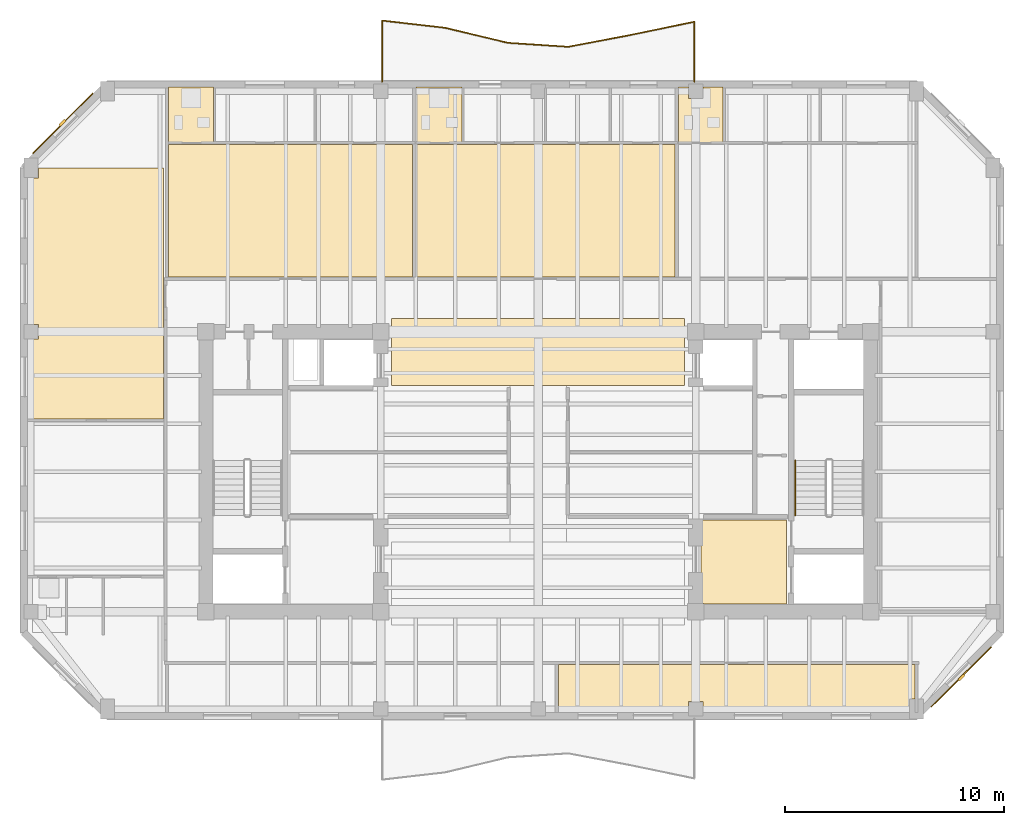
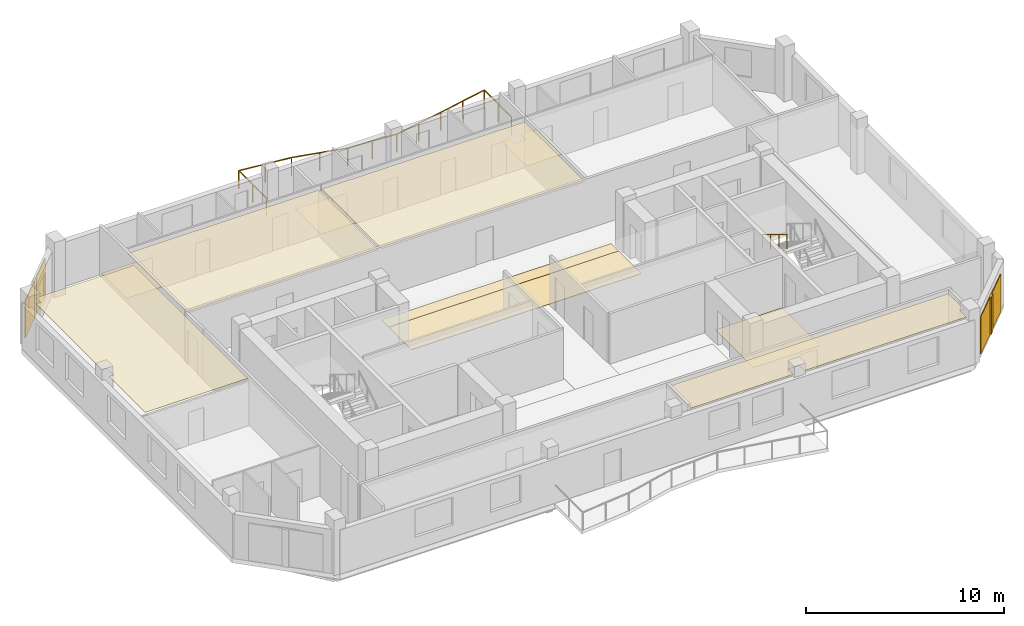
# One storey, part 8 of 10: 12 coverings, 2 railings, 2 shading devices.
"""IFC4 building model written with IfcOpenShell, lengths in metres."""

from ifc_helpers import new_model, si_unit, direction, frame, origin, origin_2d, place, context, subcontext, project, spatial, polyline, rectangle, circle, outline, extrude, material, layer, layer_set, type_object, element, save


model = new_model("IFC4")

# Units and contexts
model_context = context("Model", 3, precision=1e-05, world=origin(), true_north=direction((0.0, 1.0)))
body_context = subcontext(model_context, "Body", "Model", "MODEL_VIEW")
ifc_project = project(units=[si_unit("LENGTHUNIT", "METRE"), si_unit("AREAUNIT", "SQUARE_METRE"), si_unit("VOLUMEUNIT", "CUBIC_METRE"), si_unit("PLANEANGLEUNIT", "RADIAN"), si_unit("MASSUNIT", "GRAM", prefix="KILO")], contexts=[model_context])

# Site, building, storey
site_placement = place(None, origin())
site = spatial("IfcSite", under=ifc_project, at=site_placement, CompositionType="ELEMENT")
building_placement = place(site_placement, origin())
building = spatial("IfcBuilding", under=site, at=building_placement, Name="Kranthara Brick Stack", CompositionType="ELEMENT")
storey_placement = place(building_placement, frame((0.0, 0.0, 275.5)))
storey = spatial("IfcBuildingStorey", under=building, at=storey_placement, Name="L73", CompositionType="ELEMENT", Elevation=275.5)

# Coverings
ifc_material_1 = material(Name="Perforated mineral-fibre acoustic ceiling tile", Category="other")
ifc_layer_1 = layer(ifc_material_1, 0.02490234375)
ifc_layer_set_1 = layer_set([ifc_layer_1], Name="Perforated mineral-fibre acoustic ceiling tile")
covering_type_1 = type_object("IfcCoveringType", Name="COV-CEIL-ACOUSTIC", PredefinedType="CEILING", material=ifc_layer_set_1)
covering_1_placement = place(storey_placement, frame((0.0, 0.0, 2.830078125)))
element("IfcCovering", 1, at=covering_1_placement, inside=storey, type_object=covering_type_1, Name="L73 L73 Sky Club Observation Lounge 2 Acoustic Ceiling", PredefinedType="CEILING", context=body_context, shape_type="SweptSolid", body=[
    extrude(outline(polyline([(28.926025390625, 18.3798828125), (45.219970703125, 18.3798828125), (45.219970703125, 16.81005859375), (44.965087890625, 16.81005859375), (44.965087890625, 16.14990234375), (35.534912109375, 16.14990234375), (35.534912109375, 16.68505859375), (34.864990234375, 16.68505859375), (34.864990234375, 16.14990234375), (28.926025390625, 16.14990234375), (28.926025390625, 18.3798828125)])), origin(), (0.0, 0.0, 1.0), 0.02490234375),
])
covering_2_placement = place(storey_placement, frame((0.0, 0.0, 2.830078125)))
element("IfcCovering", 2, at=covering_2_placement, inside=storey, type_object=covering_type_1, Name="L73 Unit L73A 1-Bed Apartment Living Dining Acoustic Ceiling", PredefinedType="CEILING", context=body_context, shape_type="SweptSolid", body=[
    extrude(outline(polyline([(22.251953125, 36.10009765625), (22.251953125, 42.169921875), (11.10009765625, 42.169921875), (11.10009765625, 36.10009765625), (22.251953125, 36.10009765625)])), origin(), (0.0, 0.0, 1.0), 0.02490234375),
])
covering_3_placement = place(storey_placement, frame((0.0, 0.0, 2.830078125)))
element("IfcCovering", 3, at=covering_3_placement, inside=storey, type_object=covering_type_1, Name="L73 Unit L73B 2-Bed Apartment Living Dining Acoustic Ceiling", PredefinedType="CEILING", context=body_context, shape_type="SweptSolid", body=[
    extrude(outline(polyline([(34.25, 36.10009765625), (34.25, 42.169921875), (22.412109375, 42.169921875), (22.412109375, 36.10009765625), (34.25, 36.10009765625)])), origin(), (0.0, 0.0, 1.0), 0.02490234375),
])
covering_4_placement = place(storey_placement, frame((0.0, 0.0, 2.830078125)))
element("IfcCovering", 4, at=covering_4_placement, inside=storey, type_object=covering_type_1, Name="L73 Unit L73D 1-Bed Apartment Living Dining Acoustic Ceiling", PredefinedType="CEILING", context=body_context, shape_type="SweptSolid", body=[
    extrude(outline(polyline([(10.860107421875, 41.10009765625), (10.860107421875, 29.60595703125), (4.8701171875, 29.60595703125), (4.8701171875, 33.264892578125), (5.135009765625, 33.264892578125), (5.135009765625, 33.93505859375), (4.8701171875, 33.93505859375), (4.8701171875, 40.639892578125), (5.135009765625, 40.639892578125), (5.135009765625, 41.10009765625), (10.860107421875, 41.10009765625)])), origin(), (0.0, 0.0, 1.0), 0.02490234375),
])
ifc_material_2 = material(Name="Warm buff kiln-fired brick slip rainscreen", Category="masonry")
ifc_layer_2 = layer(ifc_material_2, 0.044921875)
ifc_layer_set_2 = layer_set([ifc_layer_2], Name="Warm buff kiln-fired brick slip rainscreen")
covering_type_2 = type_object("IfcCoveringType", Name="COV-CLAD-BRICK", PredefinedType="CLADDING", material=ifc_layer_set_2)
for number, where, z_axis, x_axis, name in (
    (5, (6.2626953125, 43.13720703125, 0.0498046875), (0.0, 0.0, 1.0), (0.707106781187, 0.707106781187, 0.0), "L73 Chamfer Brick Rainscreen Cladding NW"),
    (6, (47.33740234375, 17.812744140625, 0.0498046875), (0.0, 0.0, 1.0), (-0.707106781187, -0.707106781187, 0.0), "L73 Chamfer Brick Rainscreen Cladding SE"),
):
    element("IfcCovering", number, at=place(storey_placement, frame(where, z_axis=z_axis, x_axis=x_axis)), inside=storey, type_object=covering_type_2, Name=name, PredefinedType="CLADDING", context=body_context, shape_type="SweptSolid", body=[
        extrude(rectangle(XDim=3.889892578125, YDim=0.044921875, at=origin_2d()), origin(), (0.0, 0.0, 1.0), 2.300048828125),
    ])
ifc_material_3 = material(Name="Honed terrazzo and porcelain floor finish", Category="stone")
ifc_layer_3 = layer(ifc_material_3, 0.030029296875)
ifc_layer_set_3 = layer_set([ifc_layer_3], Name="Honed terrazzo and porcelain floor finish")
covering_type_3 = type_object("IfcCoveringType", Name="COV-FLOR-STONE", PredefinedType="FLOORING", material=ifc_layer_set_3)
covering_5_placement = place(storey_placement, origin())
element("IfcCovering", 7, at=covering_5_placement, inside=storey, type_object=covering_type_3, Name="L73 Lift Lobby Stone Flooring", PredefinedType="FLOORING", context=body_context, shape_type="SweptSolid", body=[
    extrude(outline(polyline([(35.449951171875, 25.0), (39.35009765625, 25.0), (39.35009765625, 21.14990234375), (35.5849609375, 21.14990234375), (35.5849609375, 21.18505859375), (35.449951171875, 21.18505859375), (35.449951171875, 25.0)])), origin(), (0.0, 0.0, 1.0), 0.030029296875),
])
covering_6_placement = place(storey_placement, origin())
element("IfcCovering", 8, at=covering_6_placement, inside=storey, type_object=covering_type_3, Name="L73 Lift Lobby Stone Flooring", PredefinedType="FLOORING", context=body_context, shape_type="SweptSolid", body=[
    extrude(outline(polyline([(34.699951171875, 31.14990234375), (34.699951171875, 33.449951171875), (21.300048828125, 33.449951171875), (21.300048828125, 31.14990234375), (34.699951171875, 31.14990234375)])), origin(), (0.0, 0.0, 1.0), 0.030029296875),
])
covering_7_placement = place(storey_placement, origin())
element("IfcCovering", 9, at=covering_7_placement, inside=storey, type_object=covering_type_3, Name="L73 Lift Lobby Stone Flooring", PredefinedType="FLOORING", context=body_context, shape_type="SweptSolid", body=[
    extrude(outline(polyline([(34.699951171875, 33.449951171875), (21.300048828125, 33.449951171875), (21.300048828125, 34.199951171875), (34.699951171875, 34.199951171875), (34.699951171875, 33.449951171875)])), origin(), (0.0, 0.0, 1.0), 0.030029296875),
])
covering_8_placement = place(storey_placement, origin())
element("IfcCovering", 10, at=covering_8_placement, inside=storey, type_object=covering_type_3, Name="L73 Wet Room Porcelain Flooring", PredefinedType="FLOORING", context=body_context, shape_type="SweptSolid", body=[
    extrude(outline(polyline([(13.14990234375, 42.25), (13.14990234375, 44.800048828125), (11.10009765625, 44.800048828125), (11.10009765625, 42.25), (13.14990234375, 42.25)])), origin(), (0.0, 0.0, 1.0), 0.030029296875),
])
covering_9_placement = place(storey_placement, origin())
element("IfcCovering", 11, at=covering_9_placement, inside=storey, type_object=covering_type_3, Name="L73 Wet Room Porcelain Flooring", PredefinedType="FLOORING", context=body_context, shape_type="SweptSolid", body=[
    extrude(outline(polyline([(24.511962890625, 42.25), (24.511962890625, 44.800048828125), (22.412109375, 44.800048828125), (22.412109375, 42.25), (24.511962890625, 42.25)])), origin(), (0.0, 0.0, 1.0), 0.030029296875),
])
covering_10_placement = place(storey_placement, origin())
element("IfcCovering", 12, at=covering_10_placement, inside=storey, type_object=covering_type_3, Name="L73 Wet Room Porcelain Flooring", PredefinedType="FLOORING", context=body_context, shape_type="SweptSolid", body=[
    extrude(outline(polyline([(36.4599609375, 44.800048828125), (36.4599609375, 42.25), (34.409912109375, 42.25), (34.409912109375, 44.800048828125), (34.864990234375, 44.800048828125), (34.864990234375, 44.264892578125), (35.534912109375, 44.264892578125), (35.534912109375, 44.800048828125), (36.4599609375, 44.800048828125)])), origin(), (0.0, 0.0, 1.0), 0.030029296875),
])

# Railings
ifc_material_4 = material(Name="Bronze anodised aluminium and laminated glass balustrade", Category="aluminium")
railing_type_1 = type_object("IfcRailingType", Name="RL-BALC-1120", PredefinedType="BALUSTRADE", material=ifc_material_4)
railing_1_placement = place(storey_placement, frame((20.860107421875, 45.0400390625, 0.0)))
element("IfcRailing", 13, at=railing_1_placement, inside=storey, type_object=railing_type_1, Name="L73 North Rippling Balcony Balustrade", PredefinedType="BALUSTRADE", context=body_context, shape_type="SweptSolid", body=[
    extrude(circle(Radius=0.02392578125, at=origin_2d()), frame((0.0, 0.0, 1.09619140625), z_axis=(-0.00026182579, 0.999999965724, 0.0), x_axis=(-0.999999965724, -0.00026182579, 0.0)), (0.0, 0.0, 1.0), 2.79736328125),
    extrude(circle(Radius=0.02392578125, at=origin_2d()), frame((-0.000732421875, 2.79736328125, 1.09619140625), z_axis=(0.993437308354, -0.114377945294, 0.0), x_axis=(0.114377945294, 0.993437308354, 0.0)), (0.0, 0.0, 1.0), 2.898681640625),
    extrude(circle(Radius=0.02392578125, at=origin_2d()), frame((2.87890625, 2.4658203125, 1.09619140625), z_axis=(0.972574027945, -0.232593551429, 0.0), x_axis=(0.232593551429, 0.972574027945, 0.0)), (0.0, 0.0, 1.0), 2.962158203125),
    extrude(circle(Radius=0.02392578125, at=origin_2d()), frame((5.759765625, 1.77685546875, 1.09619140625), z_axis=(0.997899251958, -0.064784897482, 0.0), x_axis=(0.064784897482, 0.997899251958, 0.0)), (0.0, 0.0, 1.0), 2.76611328125),
    extrude(circle(Radius=0.02392578125, at=origin_2d()), frame((8.52001953125, 1.59765625, 1.09619140625), z_axis=(0.982446283598, 0.186545704438, 0.0), x_axis=(-0.186545704438, 0.982446283598, 0.0)), (0.0, 0.0, 1.0), 2.931640625),
    extrude(circle(Radius=0.02392578125, at=origin_2d()), frame((11.400146484375, 2.14453125, 1.09619140625), z_axis=(0.979078344296, 0.203483649789, 0.0), x_axis=(-0.203483649789, 0.979078344296, 0.0)), (0.0, 0.0, 1.0), 2.94189453125),
    extrude(circle(Radius=0.02392578125, at=origin_2d()), frame((14.280517578125, 2.7431640625, 1.09619140625), z_axis=(-0.000266998922, -0.999999964356, 0.0), x_axis=(0.999999964356, -0.000266998922, 0.0)), (0.0, 0.0, 1.0), 2.7431640625),
    extrude(circle(Radius=0.02099609375, at=origin_2d()), origin(), (0.0, 0.0, 1.0), 1.072021484375),
    extrude(circle(Radius=0.02099609375, at=origin_2d()), frame((-0.00048828125, 1.398681640625, 0.0)), (0.0, 0.0, 1.0), 1.072021484375),
    extrude(circle(Radius=0.02099609375, at=origin_2d()), frame((-0.000732421875, 2.79736328125, 0.0)), (0.0, 0.0, 1.0), 1.072021484375),
    extrude(circle(Radius=0.02099609375, at=origin_2d()), frame((1.43896484375, 2.631591796875, 0.0)), (0.0, 0.0, 1.0), 1.072021484375),
    extrude(circle(Radius=0.02099609375, at=origin_2d()), frame((2.87890625, 2.4658203125, 0.0)), (0.0, 0.0, 1.0), 1.072021484375),
    extrude(circle(Radius=0.02099609375, at=origin_2d()), frame((4.3193359375, 2.121337890625, 0.0)), (0.0, 0.0, 1.0), 1.072021484375),
    extrude(circle(Radius=0.02099609375, at=origin_2d()), frame((5.759765625, 1.77685546875, 0.0)), (0.0, 0.0, 1.0), 1.072021484375),
    extrude(circle(Radius=0.02099609375, at=origin_2d()), frame((7.139892578125, 1.687255859375, 0.0)), (0.0, 0.0, 1.0), 1.072021484375),
    extrude(circle(Radius=0.02099609375, at=origin_2d()), frame((8.52001953125, 1.59765625, 0.0)), (0.0, 0.0, 1.0), 1.072021484375),
    extrude(circle(Radius=0.02099609375, at=origin_2d()), frame((9.9599609375, 1.87109375, 0.0)), (0.0, 0.0, 1.0), 1.072021484375),
    extrude(circle(Radius=0.02099609375, at=origin_2d()), frame((11.400146484375, 2.14453125, 0.0)), (0.0, 0.0, 1.0), 1.072021484375),
    extrude(circle(Radius=0.02099609375, at=origin_2d()), frame((12.84033203125, 2.44384765625, 0.0)), (0.0, 0.0, 1.0), 1.072021484375),
    extrude(circle(Radius=0.02099609375, at=origin_2d()), frame((14.280517578125, 2.7431640625, 0.0)), (0.0, 0.0, 1.0), 1.072021484375),
    extrude(circle(Radius=0.02099609375, at=origin_2d()), frame((14.2802734375, 1.37158203125, 0.0)), (0.0, 0.0, 1.0), 1.072021484375),
    extrude(circle(Radius=0.02099609375, at=origin_2d()), frame((14.27978515625, 0.0, 0.0)), (0.0, 0.0, 1.0), 1.072021484375),
])
ifc_material_5 = material(Name="Brushed stainless steel tubular handrail", Category="steel")
railing_type_2 = type_object("IfcRailingType", Name="RL-STAIR-HAND-900", PredefinedType="HANDRAIL", material=ifc_material_5)
railing_2_placement = place(storey_placement, frame((39.75, 27.719970703125, 1.8701171875)))
element("IfcRailing", 14, at=railing_2_placement, inside=storey, type_object=railing_type_2, Name="L73 ST02 stair handrail 2", PredefinedType="HANDRAIL", context=body_context, shape_type="SweptSolid", body=[
    extrude(circle(Radius=0.02392578125, at=origin_2d()), frame((0.0, 0.0, 0.8759765625), z_axis=(0.0, -0.854821627497, 0.518921945155), x_axis=(1.0, 0.0, 0.0)), (0.0, 0.0, 1.0), 2.947998046875),
    extrude(circle(Radius=0.02099609375, at=origin_2d()), origin(), (0.0, 0.0, 1.0), 0.851806640625),
    extrude(circle(Radius=0.02099609375, at=origin_2d()), frame((0.0, -0.840087890625, 0.510009765625)), (0.0, 0.0, 1.0), 0.851806640625),
    extrude(circle(Radius=0.02099609375, at=origin_2d()), frame((0.0, -1.679931640625, 1.019775390625)), (0.0, 0.0, 1.0), 0.851806640625),
    extrude(circle(Radius=0.02099609375, at=origin_2d()), frame((0.0, -2.52001953125, 1.52978515625)), (0.0, 0.0, 1.0), 0.851806640625),
])

# Shading devices
ifc_material_6 = material(Name="Kiln-fired terracotta aerodynamic wind fin", Category="masonry")
shading_device_type = type_object("IfcShadingDeviceType", Name="SHD-BAFFLE-CORNER", PredefinedType="SHUTTER", material=ifc_material_6)
for number, where, z_axis, x_axis, name in (
    (15, (6.241455078125, 43.158447265625, 0.0498046875), (0.0, 0.0, 1.0), (0.707106781187, 0.707106781187, 0.0), "L73 Chamfer Wind-Baffle Fin NW"),
    (16, (47.3583984375, 17.79150390625, 0.0498046875), (0.0, 0.0, 1.0), (-0.707106781187, -0.707106781187, 0.0), "L73 Chamfer Wind-Baffle Fin SE"),
):
    element("IfcShadingDevice", number, at=place(storey_placement, frame(where, z_axis=z_axis, x_axis=x_axis)), inside=storey, type_object=shading_device_type, Name=name, PredefinedType="SHUTTER", context=body_context, shape_type="SweptSolid", body=[
        extrude(rectangle(XDim=0.35009765625, YDim=0.1201171875, at=origin_2d()), origin(), (0.0, 0.0, 1.0), 2.300048828125),
    ])

save(model, "model.ifc")
